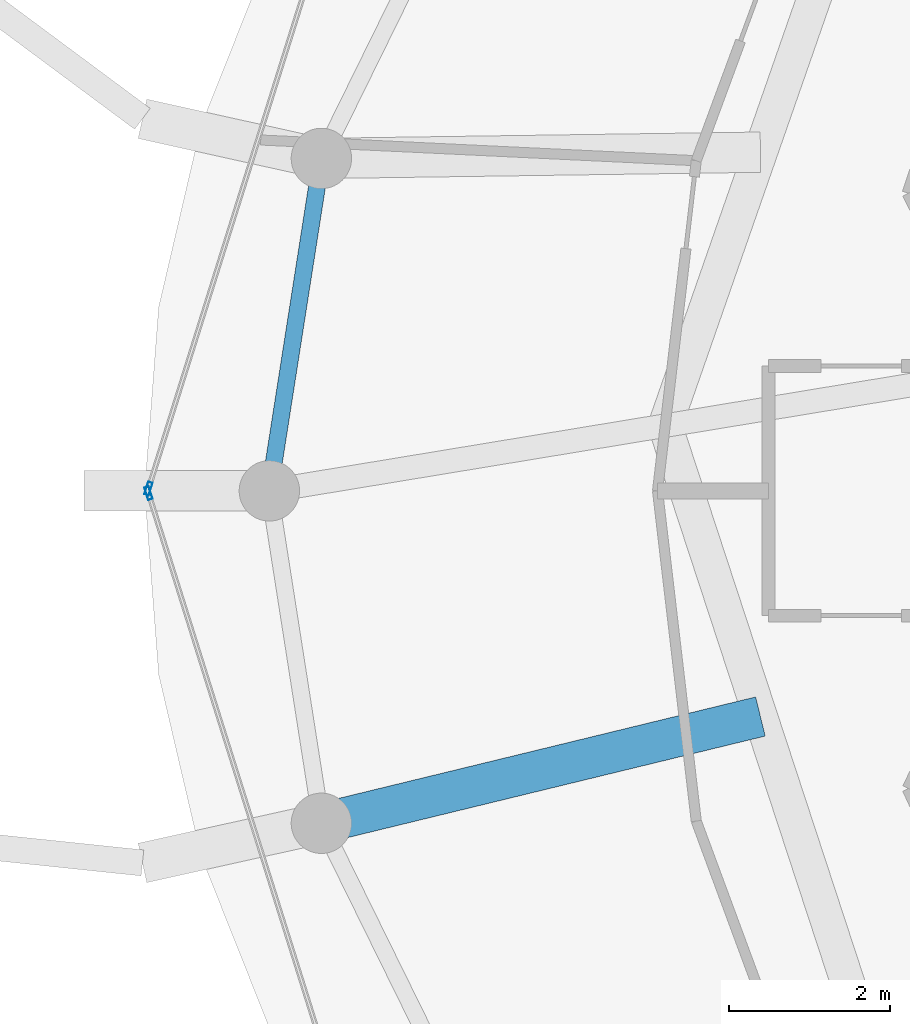
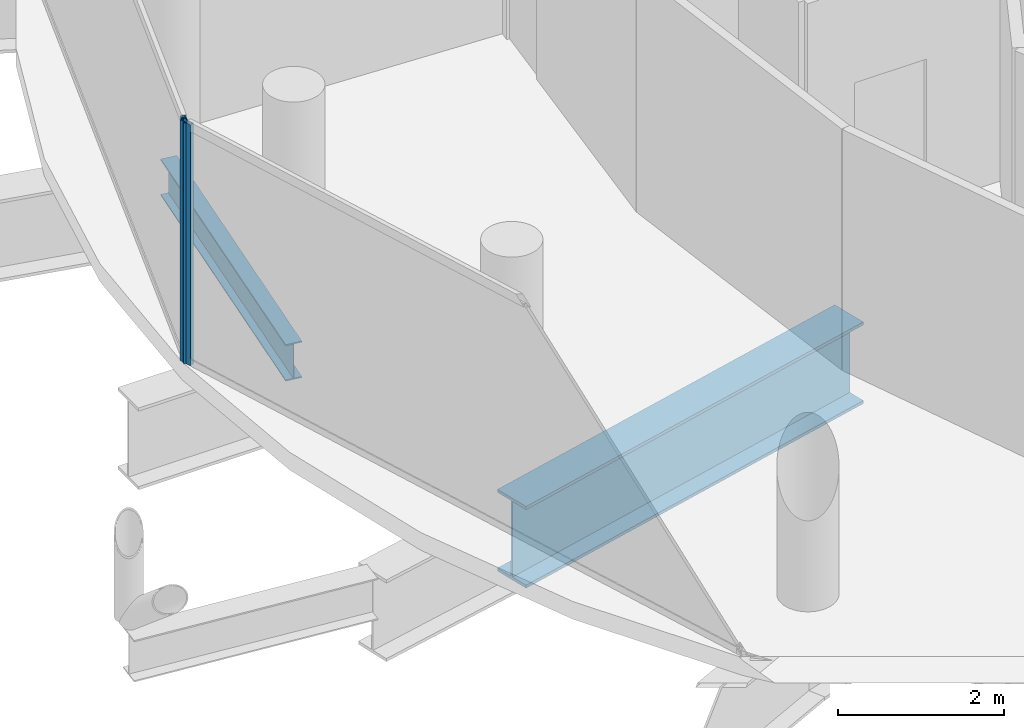
# One storey, part 6 of 25: 2 beams, 2 members, 2 elements without a shape of their own.
"""IFC4 building model written with IfcOpenShell, lengths in metres."""

from ifc_helpers import new_model, si_unit, direction, frame, origin, origin_2d, place, context, subcontext, project, spatial, hollow_rectangle, i_section, extrude, material, layer, layer_set, material_profile, profile_set, type_object, element, aggregate, save


model = new_model("IFC4")

# Units and contexts
model_context = context("Model", 3, precision=1e-05, world=origin(), true_north=direction((0.0, 1.0)))
body_context = subcontext(model_context, "Body", "Model", "MODEL_VIEW")
ifc_project = project(units=[si_unit("LENGTHUNIT", "METRE"), si_unit("AREAUNIT", "SQUARE_METRE"), si_unit("VOLUMEUNIT", "CUBIC_METRE"), si_unit("PLANEANGLEUNIT", "RADIAN"), si_unit("MASSUNIT", "GRAM", prefix="KILO")], contexts=[model_context])

# Site, building, storey
site_placement = place(None, origin())
site = spatial("IfcSite", under=ifc_project, at=site_placement, CompositionType="ELEMENT")
building_placement = place(site_placement, origin())
building = spatial("IfcBuilding", under=site, at=building_placement, Name="Nuhasar Tower", CompositionType="ELEMENT")
storey_placement = place(building_placement, frame((0.0, 0.0, 255.60009765625)))
storey = spatial("IfcBuildingStorey", under=building, at=storey_placement, Name="L63", CompositionType="ELEMENT", Elevation=255.60009765625)

# Beams
ifc_material_1 = material(Name="Steel S355", Category="steel")
ifc_material_profile_1 = material_profile(ifc_material_1, i_section(OverallWidth=0.2099609375, OverallDepth=0.537109375, WebThickness=0.010986328125, FlangeThickness=0.017333984375, at=origin_2d()), Name="W21X68")
ifc_profile_set_1 = profile_set([ifc_material_profile_1], Name="Steel S355")
beam_type_1 = type_object("IfcBeamType", Name="BM-RING-W21X68", PredefinedType="SPANDREL", material=ifc_profile_set_1)
beam_1_placement = place(storey_placement, frame((20.696044921875, 30.927978515625, -0.528076171875), z_axis=(-0.154612165232, -0.987975241776, 0.0), x_axis=(0.987975241776, -0.154612165232, 0.0)))
element("IfcBeam", 1, at=beam_1_placement, inside=storey, type_object=beam_type_1, Name="L63 Perimeter Ring Spandrel 12", PredefinedType="SPANDREL", context=body_context, shape_type="SweptSolid", body=[
    extrude(i_section(OverallWidth=0.2099609375, OverallDepth=0.537109375, WebThickness=0.010986328125, FlangeThickness=0.017333984375, at=origin_2d()), origin(), (0.0, 0.0, 1.0), 4.17822265625),
])
ifc_material_2 = material(Name="Steel S460", Category="steel")
ifc_material_profile_2 = material_profile(ifc_material_2, i_section(OverallWidth=0.5, OverallDepth=1.199951171875, WebThickness=0.02587890625, FlangeThickness=0.044921875, at=origin_2d()), Name="PG1200X500")
ifc_profile_set_2 = profile_set([ifc_material_profile_2], Name="Steel S460")
beam_type_2 = type_object("IfcBeamType", Name="BM-XFER-PG1200", PredefinedType="USERDEFINED", material=ifc_profile_set_2)
beam_2_placement = place(storey_placement, frame((26.14794921875, 23.998046875, -0.860107421875), z_axis=(-0.971676244983, -0.236316048834, 0.0), x_axis=(0.236316048834, -0.971676244983, 0.0)))
element("IfcBeam", 2, at=beam_2_placement, inside=storey, type_object=beam_type_2, Name="L63 Inner Column Transfer Girder 14", ObjectType="GIRDER", PredefinedType="USERDEFINED", context=body_context, shape_type="SweptSolid", body=[
    extrude(i_section(OverallWidth=0.5, OverallDepth=1.199951171875, WebThickness=0.02587890625, FlangeThickness=0.044921875, at=origin_2d()), origin(), (0.0, 0.0, 1.0), 5.61083984375),
])

# Curtain wall, member
ifc_material_3 = material(Name="Aluminium 6063-T6", Category="aluminium")
ifc_layer = layer(ifc_material_3, 0.18994140625)
ifc_layer_set = layer_set([ifc_layer], Name="Aluminium 6063-T6")
curtain_wall_type = type_object("IfcCurtainWallType", Name="CW-Z4-PEN", PredefinedType="NOTDEFINED", material=ifc_layer_set)
curtain_wall_1_placement = place(storey_placement, origin())
curtain_wall_1 = element("IfcCurtainWall", 3, at=curtain_wall_1_placement, inside=storey, type_object=curtain_wall_type, Name="L63 Unitised Curtain Wall 06", PredefinedType="NOTDEFINED")
ifc_material_profile_3 = material_profile(ifc_material_3, hollow_rectangle(XDim=0.06005859375, YDim=0.1650390625, WallThickness=0.0048828125, at=origin_2d()), Name="CWM-5")
ifc_profile_set_3 = profile_set([ifc_material_profile_3], Name="Aluminium 6063-T6")
member_type = type_object("IfcMemberType", Name="CW-MUL-S5", PredefinedType="MULLION", material=ifc_profile_set_3)
member_1_placement = place(storey_placement, frame((18.549072265625, 26.82861328125, 0.0), z_axis=(0.0, 0.0, 1.0), x_axis=(0.954078526601, -0.299556614146, 0.0)))
member_1 = element("IfcMember", 4, at=member_1_placement, type_object=member_type, Name="CW-Z4 mullion 2", PredefinedType="MULLION", context=body_context, shape_type="SweptSolid", body=[
    extrude(hollow_rectangle(XDim=0.06005859375, YDim=0.1650390625, WallThickness=0.0048828125, at=origin_2d()), origin(), (0.0, 0.0, 1.0), 3.539794921875),
])
aggregate(curtain_wall_1, [member_1])

curtain_wall_2_placement = place(storey_placement, origin())
curtain_wall_2 = element("IfcCurtainWall", 5, at=curtain_wall_2_placement, inside=storey, type_object=curtain_wall_type, Name="L63 Unitised Curtain Wall 07", PredefinedType="NOTDEFINED")
member_2_placement = place(storey_placement, frame((18.549072265625, 26.771484375, 0.0), z_axis=(0.0, 0.0, 1.0), x_axis=(0.954078526601, 0.299556614146, 0.0)))
member_2 = element("IfcMember", 6, at=member_2_placement, type_object=member_type, Name="CW-Z4 mullion 1", PredefinedType="MULLION", context=body_context, shape_type="SweptSolid", body=[
    extrude(hollow_rectangle(XDim=0.06005859375, YDim=0.1650390625, WallThickness=0.0048828125, at=origin_2d()), origin(), (0.0, 0.0, 1.0), 3.539794921875),
])
aggregate(curtain_wall_2, [member_2])

save(model, "model.ifc")
